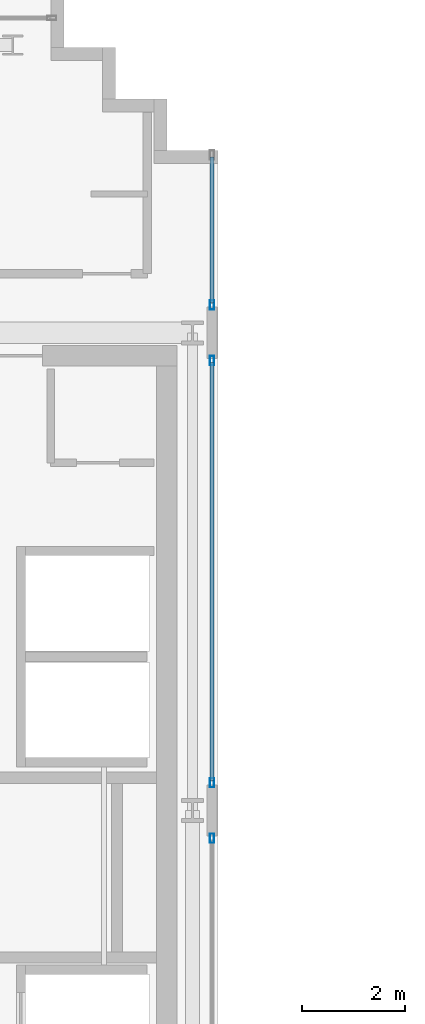
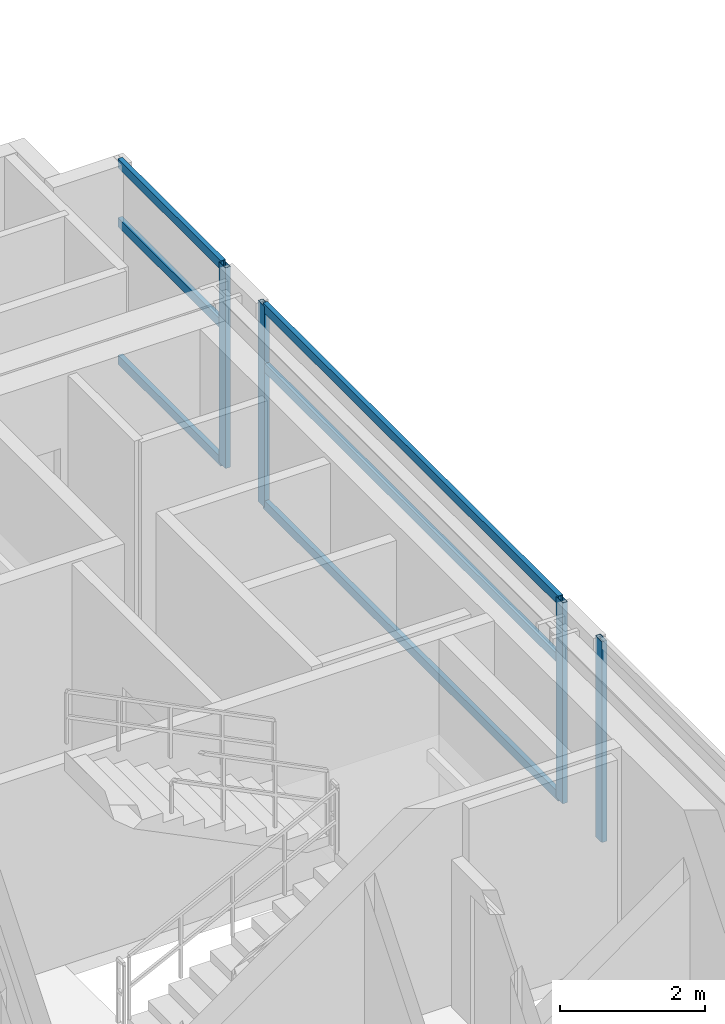
# One storey, part 7 of 25: 10 members, 3 elements without a shape of their own.
"""IFC4 building model written with IfcOpenShell, lengths in metres."""

import ifcopenshell
import ifcopenshell.guid

model = None  # the IFC model being written
_history = None  # IfcOwnerHistory: only IFC2X3 demands one
_inside = {}  # id of a spatial element -> (the spatial element, [elements in it])
_under = {}  # id of a project, library or spatial element -> (it, [spatial elements below it])
_declared = {}  # id of a project -> (the project, [libraries it declares])
_typed = {}  # id of a type object -> (the type object, [elements of that type])
_made_of = {}  # id of a material, layer set ... -> (it, [elements and type objects made of it])


def new_model(schema):
    """Start an empty IFC model of exactly this schema.

    Asked for "IFC4X3", IfcOpenShell would pick the latest addendum, in which some entities
    have other attributes; the version numbers below select the first issue.
    IFC2X3 requires an IfcOwnerHistory on every rooted entity: one is made here for all.
    """
    global model, _history
    if schema == "IFC4X3":
        model = ifcopenshell.file(schema_version=(4, 3, 0, 0))
    else:
        model = ifcopenshell.file(schema=schema)
    _inside.clear()
    _under.clear()
    _declared.clear()
    _typed.clear()
    _made_of.clear()
    _history = None
    if model.schema == "IFC2X3":
        org = make("IfcOrganization", Name="unknown")
        user = make(
            "IfcPersonAndOrganization",
            ThePerson=make("IfcPerson", FamilyName="unknown"),
            TheOrganization=org,
        )
        app = make(
            "IfcApplication",
            ApplicationDeveloper=org,
            Version="unknown",
            ApplicationFullName="unknown",
            ApplicationIdentifier="unknown",
        )
        _history = make(
            "IfcOwnerHistory",
            OwningUser=user,
            OwningApplication=app,
            ChangeAction="ADDED",
            CreationDate=0,
        )
    return model


def make(cls, **values):
    """One entity of the class cls with the attributes given. An attribute that is None is left unset."""
    return model.create_entity(
        cls, **{name: value for name, value in values.items() if value is not None}
    )


def rooted(cls, **values):
    """An entity with a GlobalId (a new one), such as an element, a storey or a relation."""
    return make(cls, GlobalId=ifcopenshell.guid.new(), OwnerHistory=_history, **values)


def si_unit(unit_type, name, prefix=None):
    """IfcSIUnit, for example si_unit("LENGTHUNIT", "METRE", prefix="MILLI")."""
    return make("IfcSIUnit", UnitType=unit_type, Prefix=prefix, Name=name)


def assignment(units):
    """IfcUnitAssignment: the units of a project."""
    return None if units is None else make("IfcUnitAssignment", Units=units)


def point(xyz):
    """IfcCartesianPoint."""
    return None if xyz is None else make("IfcCartesianPoint", Coordinates=xyz)


def direction(xyz):
    """IfcDirection."""
    return None if xyz is None else make("IfcDirection", DirectionRatios=xyz)


def frame(location, z_axis=None, x_axis=None):
    """IfcAxis2Placement3D, a coordinate frame: its origin and axes. An axis left out is left unset."""
    return make(
        "IfcAxis2Placement3D",
        Location=point(location),
        Axis=direction(z_axis),
        RefDirection=direction(x_axis),
    )


def frame_2d(location, x_axis=None):
    """IfcAxis2Placement2D, a coordinate frame in the plane: its origin and x axis."""
    return make(
        "IfcAxis2Placement2D", Location=point(location), RefDirection=direction(x_axis)
    )


def origin():
    """The frame at (0, 0, 0) with its axes left unset."""
    return frame((0.0, 0.0, 0.0))


def origin_2d():
    """The frame at (0, 0) in the plane with its x axis left unset."""
    return frame_2d((0.0, 0.0))


def place(relative_to, where):
    """IfcLocalPlacement: puts the frame where relative to a parent placement (None: the world)."""
    return make(
        "IfcLocalPlacement", PlacementRelTo=relative_to, RelativePlacement=where
    )


def context(
    kind, dimensions, precision=None, world=None, true_north=None, identifier=None
):
    """IfcGeometricRepresentationContext, for example the 3D "Model" context."""
    return make(
        "IfcGeometricRepresentationContext",
        ContextIdentifier=identifier,
        ContextType=kind,
        CoordinateSpaceDimension=dimensions,
        Precision=precision,
        WorldCoordinateSystem=world,
        TrueNorth=true_north,
    )


def subcontext(parent, identifier, kind, view, scale=None):
    """IfcGeometricRepresentationSubContext, for example "Body" below "Model"."""
    return make(
        "IfcGeometricRepresentationSubContext",
        ContextIdentifier=identifier,
        ContextType=kind,
        ParentContext=parent,
        TargetScale=scale,
        TargetView=view,
    )


def project(units=None, contexts=None):
    """IfcProject with its units and contexts."""
    return rooted(
        "IfcProject",
        Name="project",
        RepresentationContexts=contexts,
        UnitsInContext=assignment(units),
    )


def spatial(cls, under=None, at=None, **own):
    """A site, building, storey or space (cls), placed at a placement, below another one or the project."""
    s = rooted(cls, ObjectPlacement=at, **own)
    if under is not None:
        _under.setdefault(under.id(), (under, []))[1].append(s)
    return s


def profile(cls, at=None, kind="AREA", **sizes):
    """A parametric profile (cls). Its sizes go by their IFC names, for example OverallWidth=200.0."""
    return make(cls, ProfileType=kind, Position=at, **sizes)


def hollow_rectangle(**sizes):
    """IfcRectangleHollowProfileDef."""
    return profile("IfcRectangleHollowProfileDef", **sizes)


def extrude(swept, where, along, depth):
    """IfcExtrudedAreaSolid: the profile swept, set in the frame where, extruded along a direction by depth."""
    return make(
        "IfcExtrudedAreaSolid",
        SweptArea=swept,
        Position=where,
        ExtrudedDirection=direction(along),
        Depth=depth,
    )


def shape(context_of_items, identifier, shape_type, items):
    """IfcShapeRepresentation: the items that make up one representation, for example the "Body"."""
    return make(
        "IfcShapeRepresentation",
        ContextOfItems=context_of_items,
        RepresentationIdentifier=identifier,
        RepresentationType=shape_type,
        Items=items,
    )


def source(mapping_origin, context_of_items, identifier, shape_type, items):
    """IfcRepresentationMap: a shape defined once, which mapped items show again and again."""
    return make(
        "IfcRepresentationMap",
        MappingOrigin=mapping_origin,
        MappedRepresentation=shape(context_of_items, identifier, shape_type, items),
    )


def transform(
    local_origin,
    x_axis=None,
    y_axis=None,
    z_axis=None,
    scale=None,
    scale2=None,
    scale3=None,
    uniform=True,
):
    """IfcCartesianTransformationOperator3D, or its non-uniform kind. x_axis, y_axis, z_axis: its Axis1, 2, 3."""
    if uniform:
        return make(
            "IfcCartesianTransformationOperator3D",
            Axis1=direction(x_axis),
            Axis2=direction(y_axis),
            LocalOrigin=point(local_origin),
            Scale=scale,
            Axis3=direction(z_axis),
        )
    return make(
        "IfcCartesianTransformationOperator3DnonUniform",
        Axis1=direction(x_axis),
        Axis2=direction(y_axis),
        LocalOrigin=point(local_origin),
        Scale=scale,
        Axis3=direction(z_axis),
        Scale2=scale2,
        Scale3=scale3,
    )


def mapped(mapping_source, mapping_target):
    """IfcMappedItem: shows the shape of a source again, moved by a transform."""
    return make(
        "IfcMappedItem", MappingSource=mapping_source, MappingTarget=mapping_target
    )


def material(Name=None, Category=None):
    """IfcMaterial."""
    return make("IfcMaterial", Name=Name, Category=Category)


def layer(
    of_material, thickness, ventilated=None, Name=None, Category=None, Priority=None
):
    """IfcMaterialLayer: one layer of a wall or slab, of a material (None: an air gap)."""
    return make(
        "IfcMaterialLayer",
        Material=of_material,
        LayerThickness=thickness,
        IsVentilated=ventilated,
        Name=Name,
        Category=Category,
        Priority=Priority,
    )


def layer_set(layers, Name=None):
    """IfcMaterialLayerSet."""
    return make("IfcMaterialLayerSet", MaterialLayers=layers, LayerSetName=Name)


def material_profile(
    of_material, cross_section, Name=None, Category=None, Priority=None
):
    """IfcMaterialProfile: a cross section and its material."""
    return make(
        "IfcMaterialProfile",
        Name=Name,
        Material=of_material,
        Profile=cross_section,
        Priority=Priority,
        Category=Category,
    )


def profile_set(profiles, Name=None, composite=None):
    """IfcMaterialProfileSet."""
    return make(
        "IfcMaterialProfileSet",
        Name=Name,
        MaterialProfiles=profiles,
        CompositeProfile=composite,
    )


def made_of(thing, what):
    """Note that an element or type object is made of a material, layer set ...; save() writes the relation."""
    if what is not None:
        _made_of.setdefault(what.id(), (what, []))[1].append(thing)
    return thing


def type_object(cls, material=None, **own):
    """A type object (cls), such as IfcWallType, which elements share."""
    return made_of(rooted(cls, **own), material)


def element(
    cls,
    number,
    at=None,
    inside=None,
    cuts=None,
    type_object=None,
    material=None,
    context=None,
    identifier="Body",
    shape_type=None,
    held_by="IfcProductDefinitionShape",
    body=None,
    shapes=None,
    **own,
):
    """One element of the class cls, such as IfcWall. Its Tag is "e" and its number.

    at: its placement. inside: the storey or other place that contains it. cuts: it is an
    opening in that element (IfcRelVoidsElement). A single representation is given by context,
    identifier, shape_type and body (its items); several are given by shapes. held_by: the class
    of the entity that holds the representations. save() writes the other relations.
    """
    e = rooted(cls, Tag="e%d" % number, ObjectPlacement=at, **own)
    if body is not None:
        shapes = [shape(context, identifier, shape_type, body)]
    if shapes is not None:
        e.Representation = make(held_by, Representations=shapes)
    if inside is not None:
        _inside.setdefault(inside.id(), (inside, []))[1].append(e)
    if cuts is not None:
        rooted(
            "IfcRelVoidsElement", RelatingBuildingElement=cuts, RelatedOpeningElement=e
        )
    if type_object is not None:
        _typed.setdefault(type_object.id(), (type_object, []))[1].append(e)
    return made_of(e, material)


def aggregate(whole, parts):
    """IfcRelAggregates: a whole, such as a stair, and the parts it consists of."""
    return rooted("IfcRelAggregates", RelatingObject=whole, RelatedObjects=parts)


def save(model, path):
    """Write the relations noted so far, then the file.

    IfcRelAggregates (storeys below a building ...), IfcRelContainedInSpatialStructure (elements
    in a storey), IfcRelDefinesByType, IfcRelAssociatesMaterial and IfcRelDeclares: one each for
    every whole, place, type object, material and project.
    """
    for whole, parts in _under.values():
        aggregate(whole, parts)
    for where, things in _inside.values():
        rooted(
            "IfcRelContainedInSpatialStructure",
            RelatedElements=things,
            RelatingStructure=where,
        )
    for kind, things in _typed.values():
        rooted("IfcRelDefinesByType", RelatedObjects=things, RelatingType=kind)
    for what, things in _made_of.values():
        rooted("IfcRelAssociatesMaterial", RelatedObjects=things, RelatingMaterial=what)
    for by, libraries in _declared.values():
        rooted("IfcRelDeclares", RelatingContext=by, RelatedDefinitions=libraries)
    model.write(path)


model = new_model("IFC4")

# Units and contexts
model_context = context("Model", 3, precision=1e-05, world=origin(), true_north=direction((0.0, 1.0)))
body_context = subcontext(model_context, "Body", "Model", "MODEL_VIEW")
ifc_project = project(units=[si_unit("LENGTHUNIT", "METRE"), si_unit("AREAUNIT", "SQUARE_METRE"), si_unit("VOLUMEUNIT", "CUBIC_METRE"), si_unit("PLANEANGLEUNIT", "RADIAN"), si_unit("MASSUNIT", "GRAM", prefix="KILO")], contexts=[model_context])

# Site, building, storey
site_placement = place(None, origin())
site = spatial("IfcSite", under=ifc_project, at=site_placement, CompositionType="ELEMENT")
building_placement = place(site_placement, origin())
building = spatial("IfcBuilding", under=site, at=building_placement, Name="Ocotamira Hotel", CompositionType="ELEMENT")
storey_placement = place(building_placement, frame((0.0, 0.0, 261.60009765625)))
storey = spatial("IfcBuildingStorey", under=building, at=storey_placement, Name="L66", CompositionType="ELEMENT", Elevation=261.60009765625)

# Curtain wall, member
ifc_material_1 = material(Name="Anodised pale-metal aluminium and solar glass", Category="aluminium")
ifc_layer = layer(ifc_material_1, 0.2099609375)
ifc_layer_set = layer_set([ifc_layer], Name="Anodised pale-metal aluminium and solar glass")
curtain_wall_type = type_object("IfcCurtainWallType", Name="CW-SYS7-PEAK", PredefinedType="NOTDEFINED", material=ifc_layer_set)
curtain_wall_1_placement = place(storey_placement, origin())
curtain_wall_1 = element("IfcCurtainWall", 1, at=curtain_wall_1_placement, inside=storey, type_object=curtain_wall_type, Name="L66 Curtain Wall CW-7 CW-L66-WI2", PredefinedType="NOTDEFINED")
ifc_material_2 = material(Name="Anodised pale-metal aluminium 6063-T6", Category="aluminium")
ifc_material_profile_1 = material_profile(ifc_material_2, hollow_rectangle(XDim=0.080078125, YDim=0.179931640625, WallThickness=0.006103515625, at=origin_2d()), Name="HSS180X80X6")
ifc_profile_set_1 = profile_set([ifc_material_profile_1], Name="Anodised pale-metal aluminium 6063-T6")
member_type_1 = type_object("IfcMemberType", Name="CWM-180X75", PredefinedType="MULLION", material=ifc_profile_set_1)
shared_shape_1 = source(origin(), body_context, "Body", "SweptSolid", [
    extrude(hollow_rectangle(XDim=0.080078125, YDim=0.179931640625, WallThickness=0.006103515625, at=origin_2d()), origin(), (0.0, 0.0, 1.0), 3.3798828125),
])
member_1_placement = place(storey_placement, frame((23.8798828125, 27.610107421875, 0.0), z_axis=(0.0, 0.0, 1.0), x_axis=(-1.0, 0.0, 0.0)))
member_1 = element("IfcMember", 2, at=member_1_placement, type_object=member_type_1, Name="CW-7 mullion 3", PredefinedType="MULLION", context=body_context, shape_type="MappedRepresentation", body=[
    mapped(shared_shape_1, transform((0.0, 0.0, 0.0), scale=1.0)),
])
aggregate(curtain_wall_1, [member_1])

# Curtain wall, members
curtain_wall_2_placement = place(storey_placement, origin())
curtain_wall_2 = element("IfcCurtainWall", 3, at=curtain_wall_2_placement, inside=storey, type_object=curtain_wall_type, Name="L66 Curtain Wall CW-7 CW-L66-WI3", PredefinedType="NOTDEFINED")
member_2_placement = place(storey_placement, frame((23.8798828125, 28.68994140625, 0.0), z_axis=(0.0, 0.0, 1.0), x_axis=(-1.0, 0.0, 0.0)))
member_2 = element("IfcMember", 4, at=member_2_placement, type_object=member_type_1, Name="CW-7 mullion 1", PredefinedType="MULLION", context=body_context, shape_type="MappedRepresentation", body=[
    mapped(shared_shape_1, transform((0.0, 0.0, 0.0), scale=1.0)),
])
member_3_placement = place(storey_placement, frame((23.8798828125, 36.909912109375, 0.0), z_axis=(0.0, 0.0, 1.0), x_axis=(-1.0, 0.0, 0.0)))
member_3 = element("IfcMember", 5, at=member_3_placement, type_object=member_type_1, Name="CW-7 mullion 2", PredefinedType="MULLION", context=body_context, shape_type="MappedRepresentation", body=[
    mapped(shared_shape_1, transform((0.0, 0.0, 0.0), scale=1.0)),
])

curtain_wall_3_placement = place(storey_placement, origin())
curtain_wall_3 = element("IfcCurtainWall", 6, at=curtain_wall_3_placement, inside=storey, type_object=curtain_wall_type, Name="L66 Curtain Wall CW-7 CW-L66-WI4", PredefinedType="NOTDEFINED")
member_4_placement = place(storey_placement, frame((23.8798828125, 37.989990234375, 0.0), z_axis=(0.0, 0.0, 1.0), x_axis=(-1.0, 0.0, 0.0)))
member_4 = element("IfcMember", 7, at=member_4_placement, type_object=member_type_1, Name="CW-7 mullion 1", PredefinedType="MULLION", context=body_context, shape_type="MappedRepresentation", body=[
    mapped(shared_shape_1, transform((0.0, 0.0, 0.0), scale=1.0)),
])
ifc_material_profile_2 = material_profile(ifc_material_2, hollow_rectangle(XDim=0.074951171875, YDim=0.14990234375, WallThickness=0.006103515625, at=origin_2d()), Name="HSS150X75X6")
ifc_profile_set_2 = profile_set([ifc_material_profile_2], Name="Anodised pale-metal aluminium 6063-T6")
member_type_2 = type_object("IfcMemberType", Name="CWT-150X75", PredefinedType="USERDEFINED", material=ifc_profile_set_2)
shared_shape_2 = source(origin(), body_context, "Body", "SweptSolid", [
    extrude(hollow_rectangle(XDim=0.074951171875, YDim=0.14990234375, WallThickness=0.006103515625, at=origin_2d()), origin(), (0.0, 0.0, 1.0), 2.840087890625),
])
member_5_placement = place(storey_placement, frame((23.8798828125, 38.030029296875, 0.037353515625), z_axis=(0.0, 1.0, 0.0), x_axis=(-1.0, 0.0, 0.0)))
member_5 = element("IfcMember", 8, at=member_5_placement, type_object=member_type_2, Name="CW-7 transom 1.1", ObjectType="TRANSOM", PredefinedType="USERDEFINED", context=body_context, shape_type="MappedRepresentation", body=[
    mapped(shared_shape_2, transform((0.0, 0.0, 0.0), scale=1.0)),
])
member_6_placement = place(storey_placement, frame((23.8798828125, 38.030029296875, 2.349853515625), z_axis=(0.0, 1.0, 0.0), x_axis=(-1.0, 0.0, 0.0)))
member_6 = element("IfcMember", 9, at=member_6_placement, type_object=member_type_2, Name="CW-7 transom 1.2", ObjectType="TRANSOM", PredefinedType="USERDEFINED", context=body_context, shape_type="MappedRepresentation", body=[
    mapped(shared_shape_2, transform((0.0, 0.0, 0.0), scale=1.0)),
])
member_7_placement = place(storey_placement, frame((23.8798828125, 38.030029296875, 3.34228515625), z_axis=(0.0, 1.0, 0.0), x_axis=(-1.0, 0.0, 0.0)))
member_7 = element("IfcMember", 10, at=member_7_placement, type_object=member_type_2, Name="CW-7 transom 1.3", ObjectType="TRANSOM", PredefinedType="USERDEFINED", context=body_context, shape_type="MappedRepresentation", body=[
    mapped(shared_shape_2, transform((0.0, 0.0, 0.0), scale=1.0)),
])
aggregate(curtain_wall_3, [member_4, member_5, member_6, member_7])

# Member
shared_shape_3 = source(origin(), body_context, "Body", "SweptSolid", [
    extrude(hollow_rectangle(XDim=0.074951171875, YDim=0.14990234375, WallThickness=0.006103515625, at=origin_2d()), origin(), (0.0, 0.0, 1.0), 8.14013671875),
])
member_8_placement = place(storey_placement, frame((23.8798828125, 28.72998046875, 0.037353515625), z_axis=(0.0, 1.0, 0.0), x_axis=(-1.0, 0.0, 0.0)))
member_8 = element("IfcMember", 11, at=member_8_placement, type_object=member_type_2, Name="CW-7 transom 1.1", ObjectType="TRANSOM", PredefinedType="USERDEFINED", context=body_context, shape_type="MappedRepresentation", body=[
    mapped(shared_shape_3, transform((0.0, 0.0, 0.0), scale=1.0)),
])

member_9_placement = place(storey_placement, frame((23.8798828125, 28.72998046875, 2.349853515625), z_axis=(0.0, 1.0, 0.0), x_axis=(-1.0, 0.0, 0.0)))
member_9 = element("IfcMember", 12, at=member_9_placement, type_object=member_type_2, Name="CW-7 transom 1.2", ObjectType="TRANSOM", PredefinedType="USERDEFINED", context=body_context, shape_type="MappedRepresentation", body=[
    mapped(shared_shape_3, transform((0.0, 0.0, 0.0), scale=1.0)),
])

member_10_placement = place(storey_placement, frame((23.8798828125, 28.72998046875, 3.34228515625), z_axis=(0.0, 1.0, 0.0), x_axis=(-1.0, 0.0, 0.0)))
member_10 = element("IfcMember", 13, at=member_10_placement, type_object=member_type_2, Name="CW-7 transom 1.3", ObjectType="TRANSOM", PredefinedType="USERDEFINED", context=body_context, shape_type="MappedRepresentation", body=[
    mapped(shared_shape_3, transform((0.0, 0.0, 0.0), scale=1.0)),
])

aggregate(curtain_wall_2, [member_2, member_3, member_8, member_9, member_10])

save(model, "model.ifc")
